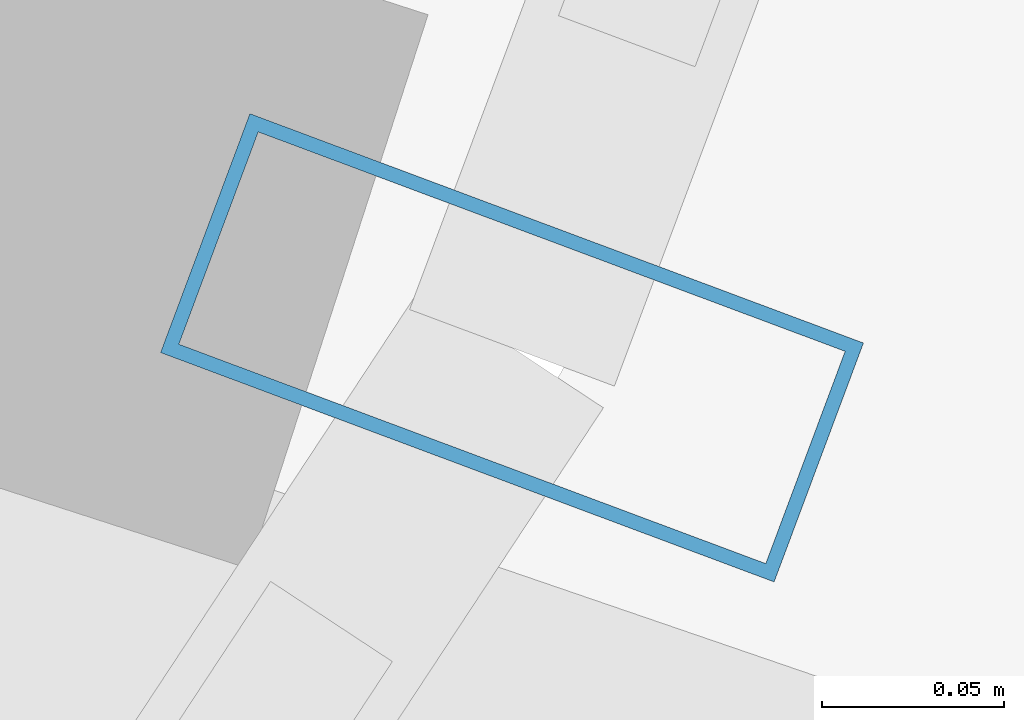
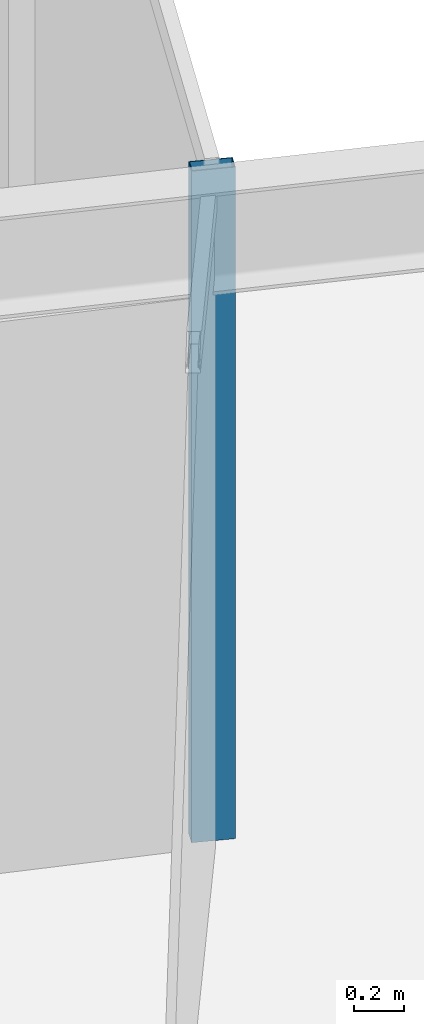
# One storey, part 9 of 21: 1 member, 1 element without a shape of its own.
"""IFC4 building model written with IfcOpenShell, lengths in metres."""

from ifc_helpers import new_model, si_unit, direction, frame, origin, origin_2d, place, context, subcontext, project, spatial, hollow_rectangle, extrude, material, layer, layer_set, material_profile, profile_set, type_object, element, aggregate, save


model = new_model("IFC4")

# Units and contexts
model_context = context("Model", 3, precision=1e-05, world=origin(), true_north=direction((0.0, 1.0)))
body_context = subcontext(model_context, "Body", "Model", "MODEL_VIEW")
ifc_project = project(units=[si_unit("LENGTHUNIT", "METRE"), si_unit("AREAUNIT", "SQUARE_METRE"), si_unit("VOLUMEUNIT", "CUBIC_METRE"), si_unit("PLANEANGLEUNIT", "RADIAN"), si_unit("MASSUNIT", "GRAM", prefix="KILO")], contexts=[model_context])

# Site, building, storey
site_placement = place(None, origin())
site = spatial("IfcSite", under=ifc_project, at=site_placement, CompositionType="ELEMENT")
building_placement = place(site_placement, origin())
building = spatial("IfcBuilding", under=site, at=building_placement, Name="Veldorina Hangang Commons", CompositionType="ELEMENT")
storey_placement = place(building_placement, frame((0.0, 0.0, 91.60009765625)))
storey = spatial("IfcBuildingStorey", under=building, at=storey_placement, Name="L23", CompositionType="ELEMENT", Elevation=91.60009765625)

# Curtain wall, member
ifc_material_1 = material(Name="Glass Low-E Triple IGU", Category="glass")
ifc_layer = layer(ifc_material_1, 0.179931640625)
ifc_layer_set = layer_set([ifc_layer], Name="Glass Low-E Triple IGU")
curtain_wall_type = type_object("IfcCurtainWallType", Name="CW-SYS-Z1", PredefinedType="NOTDEFINED", material=ifc_layer_set)
curtain_wall_placement = place(storey_placement, origin())
curtain_wall = element("IfcCurtainWall", 1, at=curtain_wall_placement, inside=storey, type_object=curtain_wall_type, Name="L23 unitised curtain wall CW-L23-R2", PredefinedType="NOTDEFINED")
ifc_material_2 = material(Name="Aluminium Anodized AA6063-T6", Category="aluminium")
ifc_material_profile = material_profile(ifc_material_2, hollow_rectangle(XDim=0.070068359375, YDim=0.179931640625, WallThickness=0.00390625, at=origin_2d()), Name="ALU-RHS-180x70x4")
ifc_profile_set = profile_set([ifc_material_profile], Name="Aluminium Anodized AA6063-T6")
member_type = type_object("IfcMemberType", Name="CW-MUL-180", PredefinedType="MULLION", material=ifc_profile_set)
member_placement = place(storey_placement, frame((56.391845703125, 15.801025390625, 0.0), z_axis=(0.0, 0.0, 1.0), x_axis=(0.350141988351, 0.936696636053, 0.0)))
member = element("IfcMember", 2, at=member_placement, type_object=member_type, Name="CW-L23-R2 vertical mullion 3", PredefinedType="MULLION", context=body_context, shape_type="SweptSolid", body=[
    extrude(hollow_rectangle(XDim=0.070068359375, YDim=0.179931640625, WallThickness=0.00390625, at=origin_2d()), origin(), (0.0, 0.0, 1.0), 3.2998046875),
])
aggregate(curtain_wall, [member])

save(model, "model.ifc")
